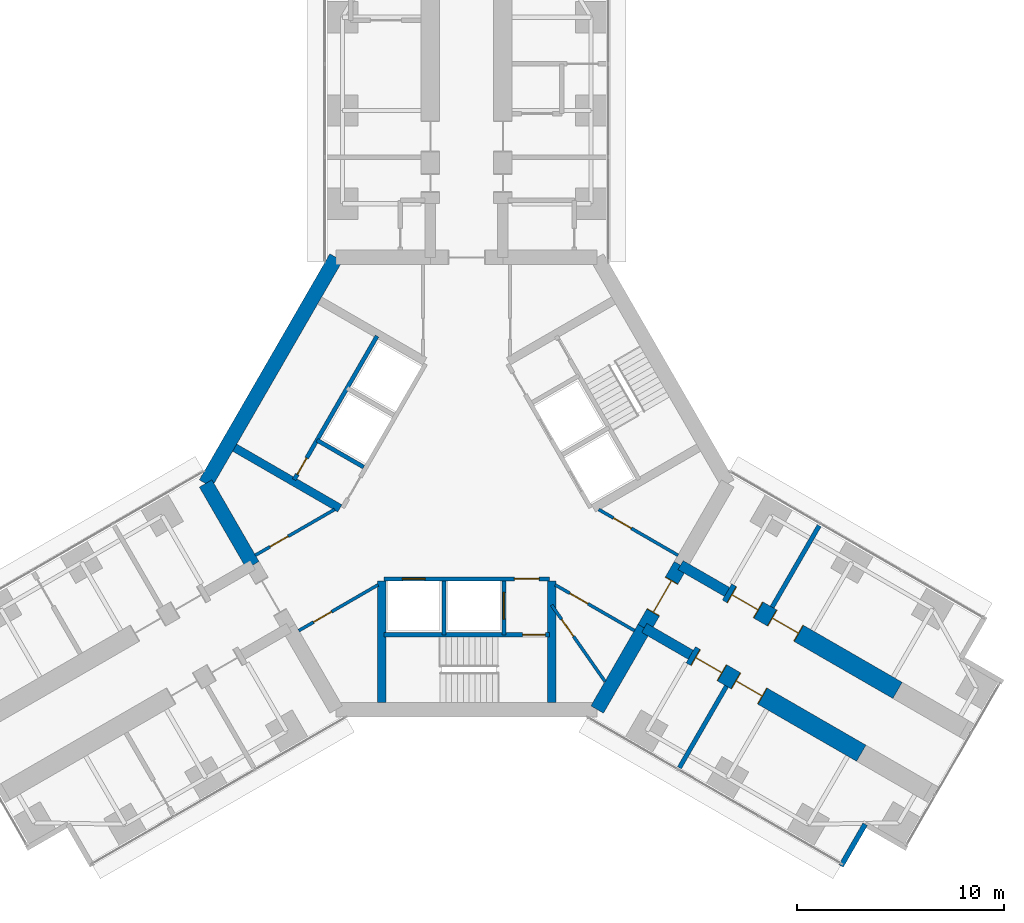
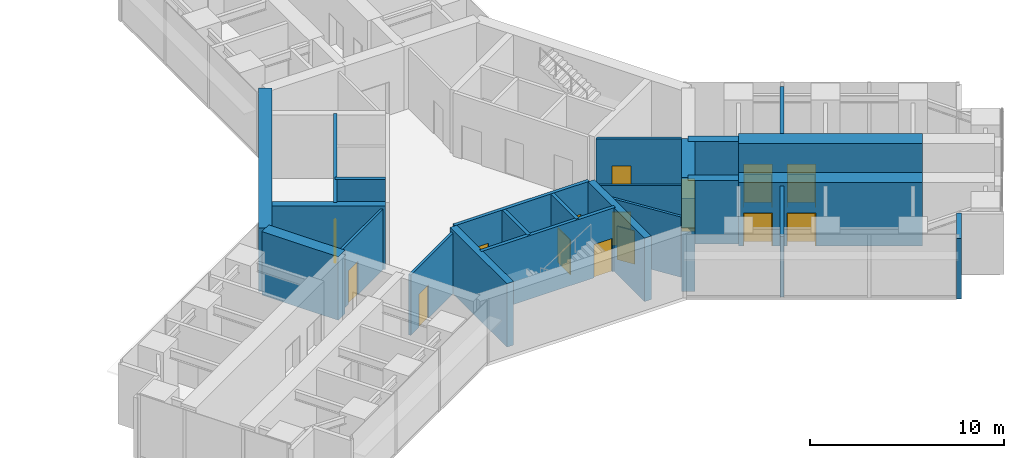
# One storey, part 19 of 22: 25 walls, 15 doors, 15 openings.
"""IFC4 building model written with IfcOpenShell, lengths in metres."""

from ifc_helpers import new_model, si_unit, direction, frame, frame_2d, origin, place, context, subcontext, project, spatial, rectangle, extrude, material, layer, layer_set, type_object, element, fill, save


model = new_model("IFC4")

# Units and contexts
model_context = context("Model", 3, precision=1e-05, world=origin(), true_north=direction((0.0, 1.0)))
body_context = subcontext(model_context, "Body", "Model", "MODEL_VIEW")
ifc_project = project(units=[si_unit("LENGTHUNIT", "METRE"), si_unit("AREAUNIT", "SQUARE_METRE"), si_unit("VOLUMEUNIT", "CUBIC_METRE"), si_unit("PLANEANGLEUNIT", "RADIAN"), si_unit("MASSUNIT", "GRAM", prefix="KILO")], contexts=[model_context])

# Site, building, storey
site_placement = place(None, origin())
site = spatial("IfcSite", under=ifc_project, at=site_placement, CompositionType="ELEMENT")
building_placement = place(site_placement, origin())
building = spatial("IfcBuilding", under=site, at=building_placement, Name="Upepo Twin Towers", CompositionType="ELEMENT")
storey_placement = place(building_placement, frame((0.0, 0.0, 36.5)))
storey = spatial("IfcBuildingStorey", under=building, at=storey_placement, Name="L08", CompositionType="ELEMENT", Elevation=36.5)

# Walls
ifc_material_1 = material(Name="Concrete blockwork, plastered both faces", Category="masonry")
ifc_layer_1 = layer(ifc_material_1, 0.215087890625)
ifc_layer_set_1 = layer_set([ifc_layer_1], Name="Blockwork partition 215")
wall_type_1 = type_object("IfcWallType", Name="Blockwork partition 215", PredefinedType="PARTITIONING", material=ifc_layer_set_1)
for number, where, z_axis, x_axis, name in (
    (1, (73.239990234375, -23.9697265625, 0.0), (0.0, 0.0, 1.0), (0.499982560684, 0.866035472144, 0.0), "T2 partition CL at 15.75"),
    (2, (71.039794921875, -27.7802734375, 0.0), (0.0, 0.0, 1.0), (-0.499982560684, -0.866035472144, 0.0), "T2 partition CR at 15.75"),
):
    element("IfcWall", number, at=place(storey_placement, frame(where, z_axis=z_axis, x_axis=x_axis)), inside=storey, type_object=wall_type_1, Name=name, PredefinedType="PARTITIONING", context=body_context, shape_type="SweptSolid", body=[
        extrude(rectangle(XDim=4.550048828125, YDim=0.215087890625, at=frame_2d((2.27490234375, 0.0))), origin(), (0.0, 0.0, 1.0), 3.800048828125),
    ])
ifc_material_2 = material(Name="Concrete C60/75", Category="concrete")
ifc_layer_2 = layer(ifc_material_2, 0.5)
ifc_layer_set_2 = layer_set([ifc_layer_2], Name="Concrete C60/75")
wall_type_2 = type_object("IfcWallType", Name="Buttress wall 500 RC", PredefinedType="SHEAR", material=ifc_layer_set_2)
for number, where, z_axis, x_axis, name in (
    (3, (68.82177734375, -21.938720703125, 0.0), (0.0, 0.0, 1.0), (0.866072649678, -0.499918158782, 0.0), "T2 wing C buttress wall L"),
    (4, (67.07177734375, -24.9697265625, 0.0), (0.0, 0.0, 1.0), (0.866031863473, -0.499988811324, 0.0), "T2 wing C buttress wall R"),
):
    element("IfcWall", number, at=place(storey_placement, frame(where, z_axis=z_axis, x_axis=x_axis)), inside=storey, type_object=wall_type_2, Name=name, PredefinedType="SHEAR", context=body_context, shape_type="SweptSolid", body=[
        extrude(rectangle(XDim=2.591796875, YDim=0.5, at=frame_2d((1.2958984375, 0.0))), origin(), (0.0, 0.0, 1.0), 4.0),
    ])

# Wall, openings, doors
ifc_material_3 = material(Name="Concrete C60/75", Category="concrete")
ifc_layer_3 = layer(ifc_material_3, 0.89990234375)
ifc_layer_set_3 = layer_set([ifc_layer_3], Name="Concrete C60/75")
wall_type_3 = type_object("IfcWallType", Name="Buttress wall 900 RC", PredefinedType="SHEAR", material=ifc_layer_set_3)
wall_1_placement = place(storey_placement, frame((71.06640625, -23.234375, 0.0), z_axis=(0.0, 0.0, 1.0), x_axis=(0.86602681393, -0.499997557548, 0.0)))
wall_1 = element("IfcWall", 5, at=wall_1_placement, inside=storey, type_object=wall_type_3, Name="T2 wing C buttress wall L part 2", PredefinedType="SHEAR", context=body_context, shape_type="SweptSolid", body=[
    extrude(rectangle(XDim=9.5, YDim=0.89990234375, at=frame_2d((4.75, 0.0))), origin(), (0.0, 0.0, 1.0), 4.0),
])
opening_1_placement = place(wall_1_placement, frame((0.25, 0.0, 0.0)))
opening_1 = element("IfcOpeningElement", 6, at=opening_1_placement, cuts=wall_1, Name="Opening D13", PredefinedType="OPENING", context=body_context, shape_type="SweptSolid", body=[
    extrude(rectangle(XDim=1.5, YDim=2.10009765625, at=frame_2d((0.75, 1.050048828125))), frame((0.0, 0.4599609375, 0.0), z_axis=(0.0, -1.0, 0.0), x_axis=(1.0, 0.0, 0.0)), (0.0, 0.0, 1.0), 0.919921875),
])
opening_2_placement = place(wall_1_placement, frame((2.5, 0.0, 0.0)))
opening_2 = element("IfcOpeningElement", 7, at=opening_2_placement, cuts=wall_1, Name="Opening D13", PredefinedType="OPENING", context=body_context, shape_type="SweptSolid", body=[
    extrude(rectangle(XDim=1.5, YDim=2.10009765625, at=frame_2d((0.75, 1.050048828125))), frame((0.0, 0.4599609375, 0.0), z_axis=(0.0, -1.0, 0.0), x_axis=(1.0, 0.0, 0.0)), (0.0, 0.0, 1.0), 0.919921875),
])
ifc_material_4 = material(Name="Timber doorset", Category="wood")
door_type_1 = type_object("IfcDoorType", Name="Double door 1500 FD30", OperationType="DOUBLE_DOOR_SINGLE_SWING", PredefinedType="DOOR", material=ifc_material_4)
door_1_placement = place(opening_1_placement, origin())
door_1 = element("IfcDoor", 8, at=door_1_placement, inside=storey, type_object=door_type_1, Name="T2 L08 tutorial room door", OperationType="DOUBLE_DOOR_SINGLE_SWING", OverallHeight=2.10009765625, OverallWidth=1.5, PredefinedType="DOOR", context=body_context, shape_type="SweptSolid", body=[
    extrude(rectangle(XDim=1.42, YDim=2.06009765625, at=frame_2d((0.75, 1.030029296875))), frame((0.0, 0.02490234375, 0.0), z_axis=(0.0, -1.0, 0.0), x_axis=(1.0, 0.0, 0.0)), (0.0, 0.0, 1.0), 0.050048828125),
    extrude(rectangle(XDim=0.04, YDim=2.10009765625, at=frame_2d((0.02001953125, 1.050048828125))), frame((0.0, 0.44970703125, 0.0), z_axis=(0.0, -1.0, 0.0), x_axis=(1.0, 0.0, 0.0)), (0.0, 0.0, 1.0), 0.8994140625),
    extrude(rectangle(XDim=0.04, YDim=2.10009765625, at=frame_2d((1.47998046875, 1.050048828125))), frame((0.0, 0.44970703125, 0.0), z_axis=(0.0, -1.0, 0.0), x_axis=(1.0, 0.0, 0.0)), (0.0, 0.0, 1.0), 0.8994140625),
    extrude(rectangle(XDim=1.42, YDim=0.04, at=frame_2d((0.75, 2.080078125))), frame((0.0, 0.44970703125, 0.0), z_axis=(0.0, -1.0, 0.0), x_axis=(1.0, 0.0, 0.0)), (0.0, 0.0, 1.0), 0.8994140625),
])
fill(opening_1, door_1)
door_2_placement = place(opening_2_placement, origin())
door_2 = element("IfcDoor", 9, at=door_2_placement, inside=storey, type_object=door_type_1, Name="T2 L08 lecture room door", OperationType="DOUBLE_DOOR_SINGLE_SWING", OverallHeight=2.10009765625, OverallWidth=1.5, PredefinedType="DOOR", context=body_context, shape_type="SweptSolid", body=[
    extrude(rectangle(XDim=1.42, YDim=2.06009765625, at=frame_2d((0.75, 1.030029296875))), frame((0.0, 0.02490234375, 0.0), z_axis=(0.0, -1.0, 0.0), x_axis=(1.0, 0.0, 0.0)), (0.0, 0.0, 1.0), 0.050048828125),
    extrude(rectangle(XDim=0.04, YDim=2.10009765625, at=frame_2d((0.02001953125, 1.050048828125))), frame((0.0, 0.44970703125, 0.0), z_axis=(0.0, -1.0, 0.0), x_axis=(1.0, 0.0, 0.0)), (0.0, 0.0, 1.0), 0.8994140625),
    extrude(rectangle(XDim=0.04, YDim=2.10009765625, at=frame_2d((1.47998046875, 1.050048828125))), frame((0.0, 0.44970703125, 0.0), z_axis=(0.0, -1.0, 0.0), x_axis=(1.0, 0.0, 0.0)), (0.0, 0.0, 1.0), 0.8994140625),
    extrude(rectangle(XDim=1.42, YDim=0.04, at=frame_2d((0.75, 2.080078125))), frame((0.0, 0.44970703125, 0.0), z_axis=(0.0, -1.0, 0.0), x_axis=(1.0, 0.0, 0.0)), (0.0, 0.0, 1.0), 0.8994140625),
])
fill(opening_2, door_2)

wall_2_placement = place(storey_placement, frame((69.31640625, -26.265625, 0.0), z_axis=(0.0, 0.0, 1.0), x_axis=(0.86602681393, -0.499997557548, 0.0)))
wall_2 = element("IfcWall", 10, at=wall_2_placement, inside=storey, type_object=wall_type_3, Name="T2 wing C buttress wall R part 2", PredefinedType="SHEAR", context=body_context, shape_type="SweptSolid", body=[
    extrude(rectangle(XDim=9.5, YDim=0.89990234375, at=frame_2d((4.75, 0.0))), origin(), (0.0, 0.0, 1.0), 4.0),
])
opening_3_placement = place(wall_2_placement, frame((0.25, 0.0, 0.0)))
opening_3 = element("IfcOpeningElement", 11, at=opening_3_placement, cuts=wall_2, Name="Opening D13", PredefinedType="OPENING", context=body_context, shape_type="SweptSolid", body=[
    extrude(rectangle(XDim=1.5, YDim=2.10009765625, at=frame_2d((0.75, 1.050048828125))), frame((0.0, 0.4599609375, 0.0), z_axis=(0.0, -1.0, 0.0), x_axis=(1.0, 0.0, 0.0)), (0.0, 0.0, 1.0), 0.919921875),
])
opening_4_placement = place(wall_2_placement, frame((2.5, 0.0, 0.0)))
opening_4 = element("IfcOpeningElement", 12, at=opening_4_placement, cuts=wall_2, Name="Opening D13", PredefinedType="OPENING", context=body_context, shape_type="SweptSolid", body=[
    extrude(rectangle(XDim=1.5, YDim=2.10009765625, at=frame_2d((0.75, 1.050048828125))), frame((0.0, 0.4599609375, 0.0), z_axis=(0.0, -1.0, 0.0), x_axis=(1.0, 0.0, 0.0)), (0.0, 0.0, 1.0), 0.919921875),
])
door_3_placement = place(opening_3_placement, origin())
door_3 = element("IfcDoor", 13, at=door_3_placement, inside=storey, type_object=door_type_1, Name="T2 L08 seminar room door", OperationType="DOUBLE_DOOR_SINGLE_SWING", OverallHeight=2.10009765625, OverallWidth=1.5, PredefinedType="DOOR", context=body_context, shape_type="SweptSolid", body=[
    extrude(rectangle(XDim=1.42, YDim=2.06009765625, at=frame_2d((0.75, 1.030029296875))), frame((0.0, 0.02490234375, 0.0), z_axis=(0.0, -1.0, 0.0), x_axis=(1.0, 0.0, 0.0)), (0.0, 0.0, 1.0), 0.050048828125),
    extrude(rectangle(XDim=0.04, YDim=2.10009765625, at=frame_2d((0.02001953125, 1.050048828125))), frame((0.0, 0.44970703125, 0.0), z_axis=(0.0, -1.0, 0.0), x_axis=(1.0, 0.0, 0.0)), (0.0, 0.0, 1.0), 0.8994140625),
    extrude(rectangle(XDim=0.04, YDim=2.10009765625, at=frame_2d((1.47998046875, 1.050048828125))), frame((0.0, 0.44970703125, 0.0), z_axis=(0.0, -1.0, 0.0), x_axis=(1.0, 0.0, 0.0)), (0.0, 0.0, 1.0), 0.8994140625),
    extrude(rectangle(XDim=1.42, YDim=0.04, at=frame_2d((0.75, 2.080078125))), frame((0.0, 0.44970703125, 0.0), z_axis=(0.0, -1.0, 0.0), x_axis=(1.0, 0.0, 0.0)), (0.0, 0.0, 1.0), 0.8994140625),
])
fill(opening_3, door_3)
door_4_placement = place(opening_4_placement, origin())
door_4 = element("IfcDoor", 14, at=door_4_placement, inside=storey, type_object=door_type_1, Name="T2 L08 lecture room door", OperationType="DOUBLE_DOOR_SINGLE_SWING", OverallHeight=2.10009765625, OverallWidth=1.5, PredefinedType="DOOR", context=body_context, shape_type="SweptSolid", body=[
    extrude(rectangle(XDim=1.42, YDim=2.06009765625, at=frame_2d((0.75, 1.030029296875))), frame((0.0, 0.02490234375, 0.0), z_axis=(0.0, -1.0, 0.0), x_axis=(1.0, 0.0, 0.0)), (0.0, 0.0, 1.0), 0.050048828125),
    extrude(rectangle(XDim=0.04, YDim=2.10009765625, at=frame_2d((0.02001953125, 1.050048828125))), frame((0.0, 0.44970703125, 0.0), z_axis=(0.0, -1.0, 0.0), x_axis=(1.0, 0.0, 0.0)), (0.0, 0.0, 1.0), 0.8994140625),
    extrude(rectangle(XDim=0.04, YDim=2.10009765625, at=frame_2d((1.47998046875, 1.050048828125))), frame((0.0, 0.44970703125, 0.0), z_axis=(0.0, -1.0, 0.0), x_axis=(1.0, 0.0, 0.0)), (0.0, 0.0, 1.0), 0.8994140625),
    extrude(rectangle(XDim=1.42, YDim=0.04, at=frame_2d((0.75, 2.080078125))), frame((0.0, 0.44970703125, 0.0), z_axis=(0.0, -1.0, 0.0), x_axis=(1.0, 0.0, 0.0)), (0.0, 0.0, 1.0), 0.8994140625),
])
fill(opening_4, door_4)

# Walls
ifc_material_5 = material(Name="Concrete C60/75", Category="concrete")
ifc_layer_4 = layer(ifc_material_5, 0.699951171875)
ifc_layer_set_4 = layer_set([ifc_layer_4], Name="Concrete C60/75")
wall_type_4 = type_object("IfcWallType", Name="Core wall 700 RC", PredefinedType="SHEAR", material=ifc_layer_set_4)
wall_3_placement = place(storey_placement, frame((52.2021484375, -7.091552734375, 0.0), z_axis=(0.0, 0.0, 1.0), x_axis=(-0.500005998175, -0.866021940709, 0.0)))
element("IfcWall", 15, at=wall_3_placement, inside=storey, type_object=wall_type_4, Name="T2 core wall 060", PredefinedType="SHEAR", context=body_context, shape_type="SweptSolid", body=[
    extrude(rectangle(XDim=12.595947265625, YDim=0.699951171875, at=frame_2d((6.2978515625, 0.0))), origin(), (0.0, 0.0, 1.0), 4.0),
])
for number, where, z_axis, x_axis, name in (
    (16, (45.904052734375, -18.0, 0.0), (0.0, 0.0, 1.0), (0.500024481964, -0.866011268655, 0.0), "T2 core wall 120 R"),
    (17, (64.7978515625, -28.908447265625, 0.0), (0.0, 0.0, 1.0), (0.499984222037, 0.866034513004, 0.0), "T2 core wall 240 R"),
):
    element("IfcWall", number, at=place(storey_placement, frame(where, z_axis=z_axis, x_axis=x_axis)), inside=storey, type_object=wall_type_4, Name=name, PredefinedType="SHEAR", context=body_context, shape_type="SweptSolid", body=[
        extrude(rectangle(XDim=4.548095703125, YDim=0.699951171875, at=frame_2d((2.27392578125, 0.0))), origin(), (0.0, 0.0, 1.0), 4.0),
    ])

# Wall, opening, door
wall_4_placement = place(storey_placement, frame((67.07177734375, -24.9697265625, 0.0), z_axis=(0.0, 0.0, 1.0), x_axis=(0.500010275428, 0.866019471182, 0.0)))
wall_4 = element("IfcWall", 18, at=wall_4_placement, inside=storey, type_object=wall_type_4, Name="T2 core wall 240", PredefinedType="SHEAR", context=body_context, shape_type="SweptSolid", body=[
    extrude(rectangle(XDim=3.5, YDim=0.699951171875, at=frame_2d((1.75, 0.0))), origin(), (0.0, 0.0, 1.0), 4.0),
])
opening_5_placement = place(wall_4_placement, frame((0.85009765625, 0.0, 0.0)))
opening_5 = element("IfcOpeningElement", 19, at=opening_5_placement, cuts=wall_4, Name="Opening D2", PredefinedType="OPENING", context=body_context, shape_type="SweptSolid", body=[
    extrude(rectangle(XDim=1.800048828125, YDim=2.10009765625, at=frame_2d((0.89990234375, 1.050048828125))), frame((0.0, 0.35986328125, 0.0), z_axis=(0.0, -1.0, 0.0), x_axis=(1.0, 0.0, 0.0)), (0.0, 0.0, 1.0), 0.719970703125),
])
ifc_material_6 = material(Name="Timber doorset", Category="wood")
door_type_2 = type_object("IfcDoorType", Name="Corridor double door 1800 FD60", OperationType="DOUBLE_DOOR_DOUBLE_SWING", PredefinedType="DOOR", material=ifc_material_6)
door_5_placement = place(opening_5_placement, origin())
door_5 = element("IfcDoor", 20, at=door_5_placement, inside=storey, type_object=door_type_2, Name="T2 L08 wing C corridor door", OperationType="DOUBLE_DOOR_DOUBLE_SWING", OverallHeight=2.10009765625, OverallWidth=1.800048828125, PredefinedType="DOOR", context=body_context, shape_type="SweptSolid", body=[
    extrude(rectangle(XDim=1.720048828125, YDim=2.06009765625, at=frame_2d((0.89990234375, 1.030029296875))), frame((0.0, 0.02490234375, 0.0), z_axis=(0.0, -1.0, 0.0), x_axis=(1.0, 0.0, 0.0)), (0.0, 0.0, 1.0), 0.050048828125),
    extrude(rectangle(XDim=0.04, YDim=2.10009765625, at=frame_2d((0.02001953125, 1.050048828125))), frame((0.0, 0.349609375, 0.0), z_axis=(0.0, -1.0, 0.0), x_axis=(1.0, 0.0, 0.0)), (0.0, 0.0, 1.0), 0.699462890625),
    extrude(rectangle(XDim=0.04, YDim=2.10009765625, at=frame_2d((1.780029296875, 1.050048828125))), frame((0.0, 0.349609375, 0.0), z_axis=(0.0, -1.0, 0.0), x_axis=(1.0, 0.0, 0.0)), (0.0, 0.0, 1.0), 0.699462890625),
    extrude(rectangle(XDim=1.720048828125, YDim=0.04, at=frame_2d((0.89990234375, 2.080078125))), frame((0.0, 0.349609375, 0.0), z_axis=(0.0, -1.0, 0.0), x_axis=(1.0, 0.0, 0.0)), (0.0, 0.0, 1.0), 0.699462890625),
])
fill(opening_5, door_5)

# Walls
ifc_material_7 = material(Name="Blockwork with anodised aluminium cladding", Category="masonry")
ifc_layer_5 = layer(ifc_material_7, 0.25)
ifc_layer_set_5 = layer_set([ifc_layer_5], Name="Notch cladding wall 250, pale metal")
wall_type_5 = type_object("IfcWallType", Name="Notch cladding wall 250, pale metal", PredefinedType="STANDARD", material=ifc_layer_set_5)
wall_5_placement = place(storey_placement, frame((76.5673828125, -36.456298828125, 0.0), z_axis=(0.0, 0.0, 1.0), x_axis=(0.500046648681, 0.865998469481, 0.0)))
element("IfcWall", 21, at=wall_5_placement, inside=storey, type_object=wall_type_5, Name="T2 L08 wing C notch wall R1", PredefinedType="STANDARD", context=body_context, shape_type="SweptSolid", body=[
    extrude(rectangle(XDim=2.324951171875, YDim=0.25, at=frame_2d((1.16259765625, 0.0))), origin(), (0.0, 0.0, 1.0), 3.800048828125),
])
ifc_material_8 = material(Name="Concrete C40/50", Category="concrete")
ifc_layer_6 = layer(ifc_material_8, 0.199951171875)
ifc_layer_set_6 = layer_set([ifc_layer_6], Name="Concrete C40/50")
wall_type_6 = type_object("IfcWallType", Name="Shaft wall 200 RC", PredefinedType="SHEAR", material=ifc_layer_set_6)
wall_6_placement = place(storey_placement, frame((53.52978515625, -17.208740234375, 0.0), z_axis=(0.0, 0.0, 1.0), x_axis=(-0.866062058628, 0.499936506574, 0.0)))
element("IfcWall", 22, at=wall_6_placement, inside=storey, type_object=wall_type_6, Name="T2 core W60 lobby wall", PredefinedType="SHEAR", context=body_context, shape_type="SweptSolid", body=[
    extrude(rectangle(XDim=2.599853515625, YDim=0.199951171875, at=frame_2d((1.2998046875, 0.0))), origin(), (0.0, 0.0, 1.0), 4.0),
])

# Wall, opening, door
wall_7_placement = place(storey_placement, frame((54.177978515625, -10.885986328125, 0.0), z_axis=(0.0, 0.0, 1.0), x_axis=(-0.49999894854, -0.866026010844, 0.0)))
wall_7 = element("IfcWall", 23, at=wall_7_placement, inside=storey, type_object=wall_type_6, Name="T2 core W60 stair wall", PredefinedType="SHEAR", context=body_context, shape_type="SweptSolid", body=[
    extrude(rectangle(XDim=8.0, YDim=0.199951171875, at=frame_2d((4.0, 0.0))), origin(), (0.0, 0.0, 1.0), 4.0),
])
opening_6_placement = place(wall_7_placement, frame((6.800048828125, 0.0, 0.0)))
opening_6 = element("IfcOpeningElement", 24, at=opening_6_placement, cuts=wall_7, Name="Opening D9", PredefinedType="OPENING", context=body_context, shape_type="SweptSolid", body=[
    extrude(rectangle(XDim=0.89990234375, YDim=2.10009765625, at=frame_2d((0.449951171875, 1.050048828125))), frame((0.0, 0.10986328125, 0.0), z_axis=(0.0, -1.0, 0.0), x_axis=(1.0, 0.0, 0.0)), (0.0, 0.0, 1.0), 0.219970703125),
])
ifc_material_9 = material(Name="Timber doorset", Category="wood")
door_type_3 = type_object("IfcDoorType", Name="Riser door 900 FD60", OperationType="SINGLE_SWING_LEFT", PredefinedType="DOOR", material=ifc_material_9)
door_6_placement = place(opening_6_placement, origin())
door_6 = element("IfcDoor", 25, at=door_6_placement, inside=storey, type_object=door_type_3, Name="T2 L08 riser door", OperationType="SINGLE_SWING_RIGHT", OverallHeight=2.10009765625, OverallWidth=0.89990234375, PredefinedType="DOOR", context=body_context, shape_type="SweptSolid", body=[
    extrude(rectangle(XDim=0.89990234375, YDim=2.10009765625, at=frame_2d((0.449951171875, 1.050048828125))), frame((0.0, 0.02490234375, 0.0), z_axis=(0.0, -1.0, 0.0), x_axis=(1.0, 0.0, 0.0)), (0.0, 0.0, 1.0), 0.050048828125),
])
fill(opening_6, door_6)

# Wall, openings, doors
wall_8_placement = place(storey_placement, frame((54.5, -22.60009765625, 0.0), z_axis=(0.0, 0.0, 1.0), x_axis=(1.0, 0.0, 0.0)))
wall_8 = element("IfcWall", 26, at=wall_8_placement, inside=storey, type_object=wall_type_6, Name="T2 core W180 front wall", PredefinedType="SHEAR", context=body_context, shape_type="SweptSolid", body=[
    extrude(rectangle(XDim=8.0, YDim=0.199951171875, at=frame_2d((4.0, 0.0))), origin(), (0.0, 0.0, 1.0), 4.0),
])
opening_7_placement = place(wall_8_placement, frame((6.300048828125, 0.0, 0.0)))
opening_7 = element("IfcOpeningElement", 27, at=opening_7_placement, cuts=wall_8, Name="Opening D4", PredefinedType="OPENING", context=body_context, shape_type="SweptSolid", body=[
    extrude(rectangle(XDim=1.199951171875, YDim=2.10009765625, at=frame_2d((0.60009765625, 1.050048828125))), frame((0.0, 0.10986328125, 0.0), z_axis=(0.0, -1.0, 0.0), x_axis=(1.0, 0.0, 0.0)), (0.0, 0.0, 1.0), 0.219970703125),
])
opening_8_placement = place(wall_8_placement, frame((0.89990234375, 0.0, 0.0)))
opening_8 = element("IfcOpeningElement", 28, at=opening_8_placement, cuts=wall_8, Name="Opening LD1", PredefinedType="OPENING", context=body_context, shape_type="SweptSolid", body=[
    extrude(rectangle(XDim=1.10009765625, YDim=2.199951171875, at=frame_2d((0.550048828125, 1.10009765625))), frame((0.0, 0.10986328125, 0.0), z_axis=(0.0, -1.0, 0.0), x_axis=(1.0, 0.0, 0.0)), (0.0, 0.0, 1.0), 0.219970703125),
])
ifc_material_10 = material(Name="Steel doorset", Category="steel")
door_type_4 = type_object("IfcDoorType", Name="Lift landing door 1100", OperationType="DOUBLE_DOOR_SLIDING", PredefinedType="DOOR", material=ifc_material_10)
door_7_placement = place(opening_8_placement, origin())
door_7 = element("IfcDoor", 29, at=door_7_placement, inside=storey, type_object=door_type_4, Name="T2 L08 lift SV1 landing door", OperationType="DOUBLE_DOOR_SLIDING", OverallHeight=2.199951171875, OverallWidth=1.10009765625, PredefinedType="DOOR", context=body_context, shape_type="SweptSolid", body=[
    extrude(rectangle(XDim=1.10009765625, YDim=2.199951171875, at=frame_2d((0.550048828125, 1.10009765625))), frame((0.0, 0.02490234375, 0.0), z_axis=(0.0, -1.0, 0.0), x_axis=(1.0, 0.0, 0.0)), (0.0, 0.0, 1.0), 0.050048828125),
])
fill(opening_8, door_7)
ifc_material_11 = material(Name="Timber doorset", Category="wood")
door_type_5 = type_object("IfcDoorType", Name="Lobby door 1200 FD60", OperationType="SINGLE_SWING_LEFT", PredefinedType="DOOR", material=ifc_material_11)
door_8_placement = place(opening_7_placement, origin())
door_8 = element("IfcDoor", 30, at=door_8_placement, inside=storey, type_object=door_type_5, Name="T2 L08 W180 lobby door", OperationType="SINGLE_SWING_RIGHT", OverallHeight=2.10009765625, OverallWidth=1.199951171875, PredefinedType="DOOR", context=body_context, shape_type="SweptSolid", body=[
    extrude(rectangle(XDim=1.199951171875, YDim=2.10009765625, at=frame_2d((0.60009765625, 1.050048828125))), frame((0.0, 0.02490234375, 0.0), z_axis=(0.0, -1.0, 0.0), x_axis=(1.0, 0.0, 0.0)), (0.0, 0.0, 1.0), 0.050048828125),
])
fill(opening_7, door_8)

# Wall
wall_9_placement = place(storey_placement, frame((57.39990234375, -22.699951171875, 0.0), z_axis=(0.0, 0.0, 1.0), x_axis=(0.0, -1.0, 0.0)))
element("IfcWall", 31, at=wall_9_placement, inside=storey, type_object=wall_type_6, Name="T2 core W180 shaft divider", PredefinedType="SHEAR", context=body_context, shape_type="SweptSolid", body=[
    extrude(rectangle(XDim=2.60009765625, YDim=0.199951171875, at=frame_2d((1.300048828125, 0.0))), origin(), (0.0, 0.0, 1.0), 4.0),
])

# Wall, opening, door
wall_10_placement = place(storey_placement, frame((60.300048828125, -22.699951171875, 0.0), z_axis=(0.0, 0.0, 1.0), x_axis=(0.0, -1.0, 0.0)))
wall_10 = element("IfcWall", 32, at=wall_10_placement, inside=storey, type_object=wall_type_6, Name="T2 core W180 lobby wall", PredefinedType="SHEAR", context=body_context, shape_type="SweptSolid", body=[
    extrude(rectangle(XDim=2.60009765625, YDim=0.199951171875, at=frame_2d((1.300048828125, 0.0))), origin(), (0.0, 0.0, 1.0), 4.0),
])
opening_9_placement = place(wall_10_placement, frame((0.550048828125, 0.0, 0.0)))
opening_9 = element("IfcOpeningElement", 33, at=opening_9_placement, cuts=wall_10, Name="Opening LD2", PredefinedType="OPENING", context=body_context, shape_type="SweptSolid", body=[
    extrude(rectangle(XDim=1.300048828125, YDim=2.199951171875, at=frame_2d((0.64990234375, 1.10009765625))), frame((0.0, 0.10986328125, 0.0), z_axis=(0.0, -1.0, 0.0), x_axis=(1.0, 0.0, 0.0)), (0.0, 0.0, 1.0), 0.219970703125),
])
ifc_material_12 = material(Name="Steel doorset", Category="steel")
door_type_6 = type_object("IfcDoorType", Name="Firefighting lift landing door 1300", OperationType="DOUBLE_DOOR_SLIDING", PredefinedType="DOOR", material=ifc_material_12)
door_9_placement = place(opening_9_placement, origin())
door_9 = element("IfcDoor", 34, at=door_9_placement, inside=storey, type_object=door_type_6, Name="T2 L08 firefighting lift landing door", OperationType="DOUBLE_DOOR_SLIDING", OverallHeight=2.199951171875, OverallWidth=1.300048828125, PredefinedType="DOOR", context=body_context, shape_type="SweptSolid", body=[
    extrude(rectangle(XDim=1.300048828125, YDim=2.199951171875, at=frame_2d((0.64990234375, 1.10009765625))), frame((0.0, 0.02490234375, 0.0), z_axis=(0.0, -1.0, 0.0), x_axis=(1.0, 0.0, 0.0)), (0.0, 0.0, 1.0), 0.050048828125),
])
fill(opening_9, door_9)

wall_11_placement = place(storey_placement, frame((54.5, -25.300048828125, 0.0), z_axis=(0.0, 0.0, 1.0), x_axis=(1.0, 0.0, 0.0)))
wall_11 = element("IfcWall", 35, at=wall_11_placement, inside=storey, type_object=wall_type_6, Name="T2 core W180 stair wall", PredefinedType="SHEAR", context=body_context, shape_type="SweptSolid", body=[
    extrude(rectangle(XDim=8.0, YDim=0.199951171875, at=frame_2d((4.0, 0.0))), origin(), (0.0, 0.0, 1.0), 4.0),
])
opening_10_placement = place(wall_11_placement, frame((6.699951171875, 0.0, 0.0)))
opening_10 = element("IfcOpeningElement", 36, at=opening_10_placement, cuts=wall_11, Name="Opening D3", PredefinedType="OPENING", context=body_context, shape_type="SweptSolid", body=[
    extrude(rectangle(XDim=1.10009765625, YDim=2.10009765625, at=frame_2d((0.550048828125, 1.050048828125))), frame((0.0, 0.10986328125, 0.0), z_axis=(0.0, -1.0, 0.0), x_axis=(1.0, 0.0, 0.0)), (0.0, 0.0, 1.0), 0.219970703125),
])
ifc_material_13 = material(Name="Timber doorset", Category="wood")
door_type_7 = type_object("IfcDoorType", Name="Stair door 1100 FD60", OperationType="SINGLE_SWING_LEFT", PredefinedType="DOOR", material=ifc_material_13)
door_10_placement = place(opening_10_placement, origin())
door_10 = element("IfcDoor", 37, at=door_10_placement, inside=storey, type_object=door_type_7, Name="T2 L08 stair door", OperationType="SINGLE_SWING_RIGHT", OverallHeight=2.10009765625, OverallWidth=1.10009765625, PredefinedType="DOOR", context=body_context, shape_type="SweptSolid", body=[
    extrude(rectangle(XDim=1.10009765625, YDim=2.10009765625, at=frame_2d((0.550048828125, 1.050048828125))), frame((0.0, 0.02490234375, 0.0), z_axis=(0.0, -1.0, 0.0), x_axis=(1.0, 0.0, 0.0)), (0.0, 0.0, 1.0), 0.050048828125),
])
fill(opening_10, door_10)

# Walls
ifc_material_14 = material(Name="Concrete C40/50", Category="concrete")
ifc_layer_7 = layer(ifc_material_14, 0.39990234375)
ifc_layer_set_7 = layer_set([ifc_layer_7], Name="Concrete C40/50")
wall_type_7 = type_object("IfcWallType", Name="Shaft wall 400 RC", PredefinedType="SHEAR", material=ifc_layer_set_7)
for number, where, z_axis, x_axis, name in (
    (38, (52.379638671875, -19.20068359375, 0.0), (0.0, 0.0, 1.0), (-0.866023886965, 0.500002627198, 0.0), "T2 core W60 side wall N"),
    (39, (62.60009765625, -22.699951171875, 0.0), (0.0, 0.0, 1.0), (0.0, -1.0, 0.0), "T2 core W180 side wall N"),
    (40, (54.39990234375, -22.699951171875, 0.0), (0.0, 0.0, 1.0), (0.0, -1.0, 0.0), "T2 core W180 side wall S"),
):
    element("IfcWall", number, at=place(storey_placement, frame(where, z_axis=z_axis, x_axis=x_axis)), inside=storey, type_object=wall_type_7, Name=name, PredefinedType="SHEAR", context=body_context, shape_type="SweptSolid", body=[
        extrude(rectangle(XDim=5.8583984375, YDim=0.39990234375, at=frame_2d((2.92919921875, 0.0))), origin(), (0.0, 0.0, 1.0), 4.0),
    ])

# Wall, opening, door
ifc_material_15 = material(Name="Gypsum board on steel studs", Category="steel")
ifc_layer_8 = layer(ifc_material_15, 0.14990234375)
ifc_layer_set_8 = layer_set([ifc_layer_8], Name="Teaching partition 150 acoustic")
wall_type_8 = type_object("IfcWallType", Name="Teaching partition 150 acoustic", PredefinedType="PARTITIONING", material=ifc_layer_set_8)
wall_12_placement = place(storey_placement, frame((48.297607421875, -21.465576171875, 0.0), z_axis=(0.0, 0.0, 1.0), x_axis=(0.866021148949, 0.500007369519, 0.0)))
wall_12 = element("IfcWall", 41, at=wall_12_placement, inside=storey, type_object=wall_type_8, Name="T2 core room partition 1", PredefinedType="PARTITIONING", context=body_context, shape_type="SweptSolid", body=[
    extrude(rectangle(XDim=4.42578125, YDim=0.14990234375, at=frame_2d((2.212890625, 0.0))), origin(), (0.0, 0.0, 1.0), 3.800048828125),
])
opening_11_placement = place(wall_12_placement, frame((0.82763671875, 0.0, 0.0)))
opening_11 = element("IfcOpeningElement", 42, at=opening_11_placement, cuts=wall_12, Name="Opening D1", PredefinedType="OPENING", context=body_context, shape_type="SweptSolid", body=[
    extrude(rectangle(XDim=1.0, YDim=2.10009765625, at=frame_2d((0.5, 1.050048828125))), frame((0.0, 0.0849609375, 0.0), z_axis=(0.0, -1.0, 0.0), x_axis=(1.0, 0.0, 0.0)), (0.0, 0.0, 1.0), 0.169921875),
])
ifc_material_16 = material(Name="Timber doorset", Category="wood")
door_type_8 = type_object("IfcDoorType", Name="Room door 1000 FD30", OperationType="SINGLE_SWING_LEFT", PredefinedType="DOOR", material=ifc_material_16)
door_11_placement = place(opening_11_placement, origin())
door_11 = element("IfcDoor", 43, at=door_11_placement, inside=storey, type_object=door_type_8, Name="T2 L08 core room door K1", OperationType="SINGLE_SWING_LEFT", OverallHeight=2.10009765625, OverallWidth=1.0, PredefinedType="DOOR", context=body_context, shape_type="SweptSolid", body=[
    extrude(rectangle(XDim=1.0, YDim=2.10009765625, at=frame_2d((0.5, 1.050048828125))), frame((0.0, 0.02490234375, 0.0), z_axis=(0.0, -1.0, 0.0), x_axis=(1.0, 0.0, 0.0)), (0.0, 0.0, 1.0), 0.050048828125),
])
fill(opening_11, door_11)

wall_13_placement = place(storey_placement, frame((64.86962890625, -19.252685546875, 0.0), z_axis=(0.0, 0.0, 1.0), x_axis=(0.866021148949, -0.500007369519, 0.0)))
wall_13 = element("IfcWall", 44, at=wall_13_placement, inside=storey, type_object=wall_type_8, Name="T2 core room partition 4", PredefinedType="PARTITIONING", context=body_context, shape_type="SweptSolid", body=[
    extrude(rectangle(XDim=4.42578125, YDim=0.14990234375, at=frame_2d((2.212890625, 0.0))), origin(), (0.0, 0.0, 1.0), 3.800048828125),
])
opening_12_placement = place(wall_13_placement, frame((0.82763671875, 0.0, 0.0)))
opening_12 = element("IfcOpeningElement", 45, at=opening_12_placement, cuts=wall_13, Name="Opening D1", PredefinedType="OPENING", context=body_context, shape_type="SweptSolid", body=[
    extrude(rectangle(XDim=1.0, YDim=2.10009765625, at=frame_2d((0.5, 1.050048828125))), frame((0.0, 0.0849609375, 0.0), z_axis=(0.0, -1.0, 0.0), x_axis=(1.0, 0.0, 0.0)), (0.0, 0.0, 1.0), 0.169921875),
])
door_12_placement = place(opening_12_placement, origin())
door_12 = element("IfcDoor", 46, at=door_12_placement, inside=storey, type_object=door_type_8, Name="T2 L08 core room door K5", OperationType="SINGLE_SWING_LEFT", OverallHeight=2.10009765625, OverallWidth=1.0, PredefinedType="DOOR", context=body_context, shape_type="SweptSolid", body=[
    extrude(rectangle(XDim=1.0, YDim=2.10009765625, at=frame_2d((0.5, 1.050048828125))), frame((0.0, 0.02490234375, 0.0), z_axis=(0.0, -1.0, 0.0), x_axis=(1.0, 0.0, 0.0)), (0.0, 0.0, 1.0), 0.050048828125),
])
fill(opening_12, door_12)

wall_14_placement = place(storey_placement, frame((66.6025390625, -25.102783203125, 0.0), z_axis=(0.0, 0.0, 1.0), x_axis=(-0.866021148949, 0.500007369519, 0.0)))
wall_14 = element("IfcWall", 47, at=wall_14_placement, inside=storey, type_object=wall_type_8, Name="T2 core room partition 5", PredefinedType="PARTITIONING", context=body_context, shape_type="SweptSolid", body=[
    extrude(rectangle(XDim=4.42578125, YDim=0.14990234375, at=frame_2d((2.212890625, 0.0))), origin(), (0.0, 0.0, 1.0), 3.800048828125),
])
opening_13_placement = place(wall_14_placement, frame((2.597900390625, 0.0, 0.0)))
opening_13 = element("IfcOpeningElement", 48, at=opening_13_placement, cuts=wall_14, Name="Opening D1", PredefinedType="OPENING", context=body_context, shape_type="SweptSolid", body=[
    extrude(rectangle(XDim=1.0, YDim=2.10009765625, at=frame_2d((0.5, 1.050048828125))), frame((0.0, 0.0849609375, 0.0), z_axis=(0.0, -1.0, 0.0), x_axis=(1.0, 0.0, 0.0)), (0.0, 0.0, 1.0), 0.169921875),
])
door_13_placement = place(opening_13_placement, origin())
door_13 = element("IfcDoor", 49, at=door_13_placement, inside=storey, type_object=door_type_8, Name="T2 L08 core room door K4", OperationType="SINGLE_SWING_RIGHT", OverallHeight=2.10009765625, OverallWidth=1.0, PredefinedType="DOOR", context=body_context, shape_type="SweptSolid", body=[
    extrude(rectangle(XDim=1.0, YDim=2.10009765625, at=frame_2d((0.5, 1.050048828125))), frame((0.0, 0.02490234375, 0.0), z_axis=(0.0, -1.0, 0.0), x_axis=(1.0, 0.0, 0.0)), (0.0, 0.0, 1.0), 0.050048828125),
])
fill(opening_13, door_13)

wall_15_placement = place(storey_placement, frame((54.230224609375, -22.889892578125, 0.0), z_axis=(0.0, 0.0, 1.0), x_axis=(-0.866021148949, -0.500007369519, 0.0)))
wall_15 = element("IfcWall", 50, at=wall_15_placement, inside=storey, type_object=wall_type_8, Name="T2 core room partition 6", PredefinedType="PARTITIONING", context=body_context, shape_type="SweptSolid", body=[
    extrude(rectangle(XDim=4.42578125, YDim=0.14990234375, at=frame_2d((2.212890625, 0.0))), origin(), (0.0, 0.0, 1.0), 3.800048828125),
])
opening_14_placement = place(wall_15_placement, frame((2.597900390625, 0.0, 0.0)))
opening_14 = element("IfcOpeningElement", 51, at=opening_14_placement, cuts=wall_15, Name="Opening D1", PredefinedType="OPENING", context=body_context, shape_type="SweptSolid", body=[
    extrude(rectangle(XDim=1.0, YDim=2.10009765625, at=frame_2d((0.5, 1.050048828125))), frame((0.0, 0.0849609375, 0.0), z_axis=(0.0, -1.0, 0.0), x_axis=(1.0, 0.0, 0.0)), (0.0, 0.0, 1.0), 0.169921875),
])
door_14_placement = place(opening_14_placement, origin())
door_14 = element("IfcDoor", 52, at=door_14_placement, inside=storey, type_object=door_type_8, Name="T2 L08 core room door K2", OperationType="SINGLE_SWING_RIGHT", OverallHeight=2.10009765625, OverallWidth=1.0, PredefinedType="DOOR", context=body_context, shape_type="SweptSolid", body=[
    extrude(rectangle(XDim=1.0, YDim=2.10009765625, at=frame_2d((0.5, 1.050048828125))), frame((0.0, 0.02490234375, 0.0), z_axis=(0.0, -1.0, 0.0), x_axis=(1.0, 0.0, 0.0)), (0.0, 0.0, 1.0), 0.050048828125),
])
fill(opening_14, door_14)

wall_16_placement = place(storey_placement, frame((62.60009765625, -23.865478515625, 0.0), z_axis=(0.0, 0.0, 1.0), x_axis=(0.572915783016, -0.819614241928, 0.0)))
wall_16 = element("IfcWall", 53, at=wall_16_placement, inside=storey, type_object=wall_type_8, Name="T2 core room partition 7", PredefinedType="PARTITIONING", context=body_context, shape_type="SweptSolid", body=[
    extrude(rectangle(XDim=4.497802734375, YDim=0.14990234375, at=frame_2d((2.2490234375, 0.0))), origin(), (0.0, 0.0, 1.0), 3.800048828125),
])
opening_15_placement = place(wall_16_placement, frame((0.849365234375, 0.0, 0.0)))
opening_15 = element("IfcOpeningElement", 54, at=opening_15_placement, cuts=wall_16, Name="Opening D1", PredefinedType="OPENING", context=body_context, shape_type="SweptSolid", body=[
    extrude(rectangle(XDim=1.0, YDim=2.10009765625, at=frame_2d((0.5, 1.050048828125))), frame((0.0, 0.0849609375, 0.0), z_axis=(0.0, -1.0, 0.0), x_axis=(1.0, 0.0, 0.0)), (0.0, 0.0, 1.0), 0.169921875),
])
door_15_placement = place(opening_15_placement, origin())
door_15 = element("IfcDoor", 55, at=door_15_placement, inside=storey, type_object=door_type_8, Name="T2 L08 core room door K3", OperationType="SINGLE_SWING_LEFT", OverallHeight=2.10009765625, OverallWidth=1.0, PredefinedType="DOOR", context=body_context, shape_type="SweptSolid", body=[
    extrude(rectangle(XDim=1.0, YDim=2.10009765625, at=frame_2d((0.5, 1.050048828125))), frame((0.0, 0.02490234375, 0.0), z_axis=(0.0, -1.0, 0.0), x_axis=(1.0, 0.0, 0.0)), (0.0, 0.0, 1.0), 0.050048828125),
])
fill(opening_15, door_15)

save(model, "model.ifc")
